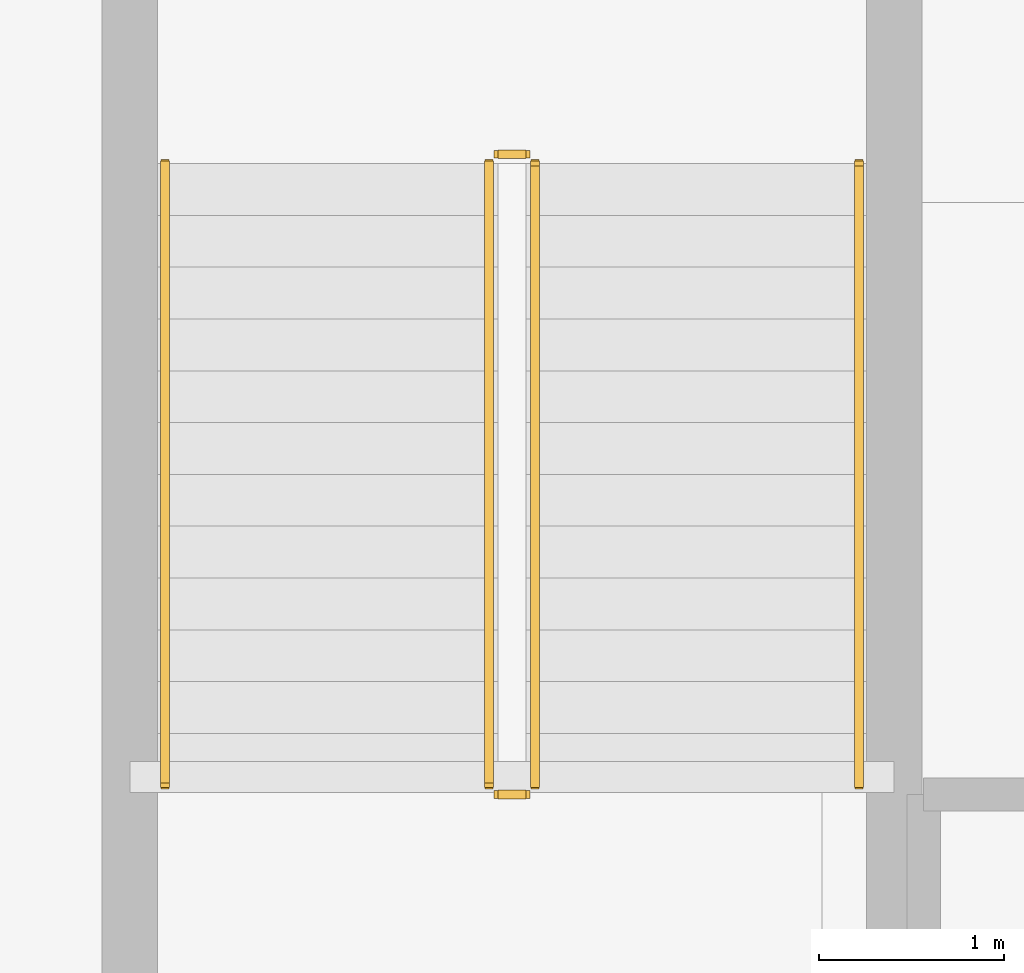
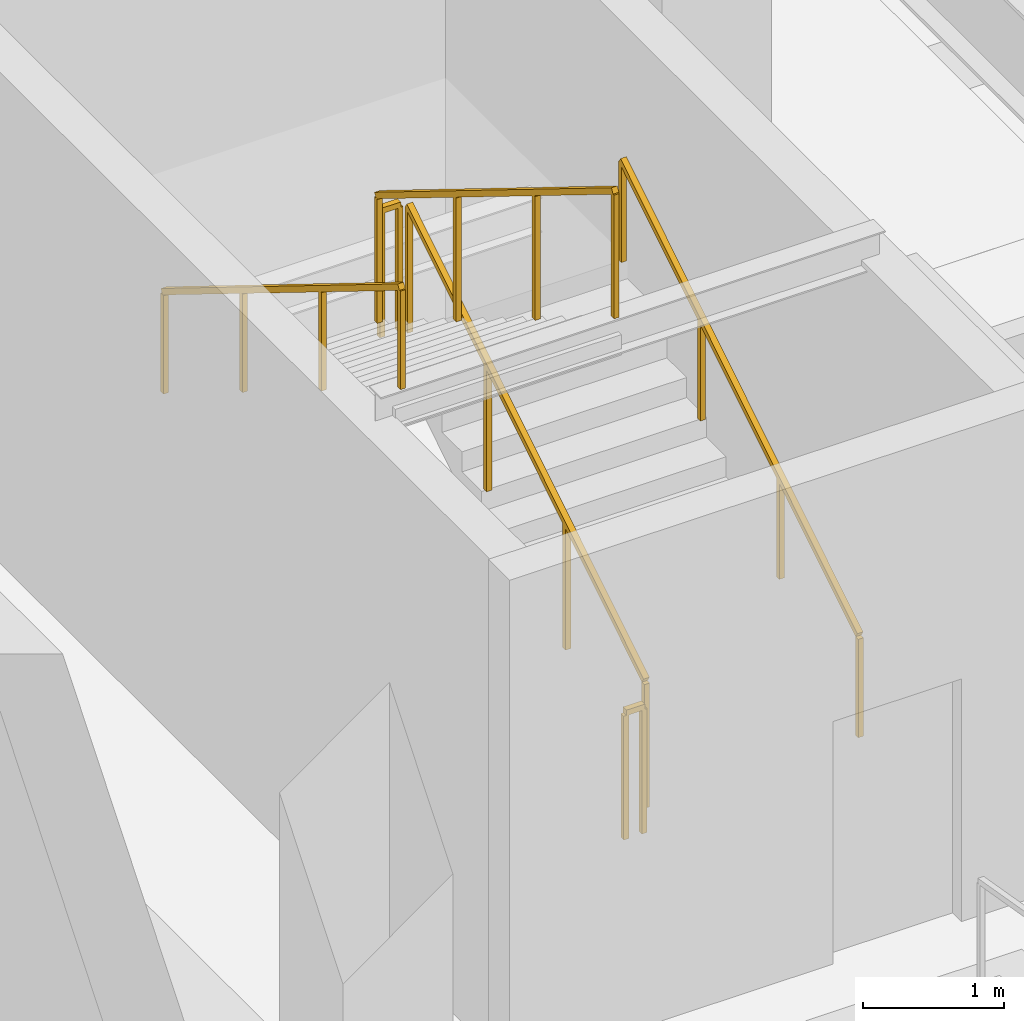
# One storey, part 10 of 12: 6 railings.
"""IFC4 building model written with IfcOpenShell, lengths in metres."""

from ifc_helpers import new_model, si_unit, direction, frame, origin, origin_2d, place, context, subcontext, project, spatial, rectangle, extrude, material, type_object, element, save


model = new_model("IFC4")

# Units and contexts
model_context = context("Model", 3, precision=1e-05, world=origin(), true_north=direction((0.0, 1.0)))
body_context = subcontext(model_context, "Body", "Model", "MODEL_VIEW")
ifc_project = project(units=[si_unit("LENGTHUNIT", "METRE"), si_unit("AREAUNIT", "SQUARE_METRE"), si_unit("VOLUMEUNIT", "CUBIC_METRE"), si_unit("PLANEANGLEUNIT", "RADIAN"), si_unit("MASSUNIT", "GRAM", prefix="KILO")], contexts=[model_context])

# Site, building, storey
site_placement = place(None, origin())
site = spatial("IfcSite", under=ifc_project, at=site_placement, CompositionType="ELEMENT")
building_placement = place(site_placement, origin())
building = spatial("IfcBuilding", under=site, at=building_placement, Name="Vantalir Tower", CompositionType="ELEMENT")
storey_placement = place(building_placement, frame((0.0, 0.0, -9.0)))
storey = spatial("IfcBuildingStorey", under=building, at=storey_placement, Name="B02", CompositionType="ELEMENT", Elevation=-9.0)

# Railings
ifc_material_1 = material(Name="Anodised aluminium and stainless steel guard", Category="steel")
railing_type_1 = type_object("IfcRailingType", Name="RAL-GUARD-1120", PredefinedType="GUARDRAIL", material=ifc_material_1)
railing_1_placement = place(storey_placement, frame((6.050048828125, 40.85009765625, 0.173095703125)))
element("IfcRailing", 1, at=railing_1_placement, inside=storey, type_object=railing_type_1, Name="B02 PST1 stair guard 1", PredefinedType="GUARDRAIL", context=body_context, shape_type="SweptSolid", body=[
    extrude(rectangle(XDim=0.048095703125, YDim=0.048095703125, at=origin_2d()), frame((0.0, 0.0, 1.09619140625), z_axis=(0.0, 0.850606129759, 0.525803396734), x_axis=(-1.0, 0.0, 0.0)), (0.0, 0.0, 1.0), 3.949951171875),
    extrude(rectangle(XDim=0.0419921875, YDim=0.0419921875, at=origin_2d()), origin(), (0.0, 0.0, 1.0), 1.072021484375),
    extrude(rectangle(XDim=0.0419921875, YDim=0.0419921875, at=origin_2d()), frame((0.0, 1.119873046875, 0.6923828125)), (0.0, 0.0, 1.0), 1.072021484375),
    extrude(rectangle(XDim=0.0419921875, YDim=0.0419921875, at=origin_2d()), frame((0.0, 2.239990234375, 1.384521484375)), (0.0, 0.0, 1.0), 1.072021484375),
    extrude(rectangle(XDim=0.0419921875, YDim=0.0419921875, at=origin_2d()), frame((0.0, 3.35986328125, 2.076904296875)), (0.0, 0.0, 1.0), 1.072021484375),
])
railing_2_placement = place(storey_placement, frame((6.0, 44.260009765625, 2.25)))
element("IfcRailing", 2, at=railing_2_placement, inside=storey, type_object=railing_type_1, Name="B02 PST1 stair guard 2", PredefinedType="GUARDRAIL", context=body_context, shape_type="SweptSolid", body=[
    extrude(rectangle(XDim=0.048095703125, YDim=0.048095703125, at=origin_2d()), frame((0.0, 0.0, 1.09619140625), z_axis=(-1.0, 0.0, 0.0), x_axis=(0.0, -1.0, 0.0)), (0.0, 0.0, 1.0), 0.14990234375),
    extrude(rectangle(XDim=0.0419921875, YDim=0.0419921875, at=origin_2d()), origin(), (0.0, 0.0, 1.0), 1.072021484375),
    extrude(rectangle(XDim=0.0419921875, YDim=0.0419921875, at=origin_2d()), frame((-0.14990234375, 0.0, 0.0)), (0.0, 0.0, 1.0), 1.072021484375),
])
railing_3_placement = place(storey_placement, frame((5.800048828125, 44.2099609375, 2.423095703125)))
element("IfcRailing", 3, at=railing_3_placement, inside=storey, type_object=railing_type_1, Name="B02 PST1 stair guard 3", PredefinedType="GUARDRAIL", context=body_context, shape_type="SweptSolid", body=[
    extrude(rectangle(XDim=0.048095703125, YDim=0.048095703125, at=origin_2d()), frame((0.0, 0.0, 1.09619140625), z_axis=(0.0, -0.850606129759, 0.525803396734), x_axis=(1.0, 0.0, 0.0)), (0.0, 0.0, 1.0), 3.949951171875),
    extrude(rectangle(XDim=0.0419921875, YDim=0.0419921875, at=origin_2d()), origin(), (0.0, 0.0, 1.0), 1.072021484375),
    extrude(rectangle(XDim=0.0419921875, YDim=0.0419921875, at=origin_2d()), frame((0.0, -1.119873046875, 0.6923828125)), (0.0, 0.0, 1.0), 1.072021484375),
    extrude(rectangle(XDim=0.0419921875, YDim=0.0419921875, at=origin_2d()), frame((0.0, -2.239990234375, 1.384521484375)), (0.0, 0.0, 1.0), 1.072021484375),
    extrude(rectangle(XDim=0.0419921875, YDim=0.0419921875, at=origin_2d()), frame((0.0, -3.35986328125, 2.076904296875)), (0.0, 0.0, 1.0), 1.072021484375),
])
railing_4_placement = place(storey_placement, frame((6.0, 40.800048828125, 0.0)))
element("IfcRailing", 4, at=railing_4_placement, inside=storey, type_object=railing_type_1, Name="B02 PST1 stair guard 4", PredefinedType="GUARDRAIL", context=body_context, shape_type="SweptSolid", body=[
    extrude(rectangle(XDim=0.048095703125, YDim=0.048095703125, at=origin_2d()), frame((0.0, 0.0, 1.09619140625), z_axis=(-1.0, 0.0, 0.0), x_axis=(0.0, -1.0, 0.0)), (0.0, 0.0, 1.0), 0.14990234375),
    extrude(rectangle(XDim=0.0419921875, YDim=0.0419921875, at=origin_2d()), origin(), (0.0, 0.0, 1.0), 1.072021484375),
    extrude(rectangle(XDim=0.0419921875, YDim=0.0419921875, at=origin_2d()), frame((-0.14990234375, 0.0, 0.0)), (0.0, 0.0, 1.0), 1.072021484375),
])
ifc_material_2 = material(Name="Brushed stainless steel tubular handrail", Category="steel")
railing_type_2 = type_object("IfcRailingType", Name="RAL-HANDRAIL-900", PredefinedType="HANDRAIL", material=ifc_material_2)
railing_5_placement = place(storey_placement, frame((7.800048828125, 40.85009765625, 0.173095703125)))
element("IfcRailing", 5, at=railing_5_placement, inside=storey, type_object=railing_type_2, Name="B02 PST1 stair handrail 1", PredefinedType="HANDRAIL", context=body_context, shape_type="SweptSolid", body=[
    extrude(rectangle(XDim=0.048095703125, YDim=0.048095703125, at=origin_2d()), frame((0.0, 0.0, 0.8759765625), z_axis=(0.0, 0.850606129759, 0.525803396734), x_axis=(-1.0, 0.0, 0.0)), (0.0, 0.0, 1.0), 3.949951171875),
    extrude(rectangle(XDim=0.0419921875, YDim=0.0419921875, at=origin_2d()), origin(), (0.0, 0.0, 1.0), 0.851806640625),
    extrude(rectangle(XDim=0.0419921875, YDim=0.0419921875, at=origin_2d()), frame((0.0, 1.119873046875, 0.6923828125)), (0.0, 0.0, 1.0), 0.851806640625),
    extrude(rectangle(XDim=0.0419921875, YDim=0.0419921875, at=origin_2d()), frame((0.0, 2.239990234375, 1.384521484375)), (0.0, 0.0, 1.0), 0.851806640625),
    extrude(rectangle(XDim=0.0419921875, YDim=0.0419921875, at=origin_2d()), frame((0.0, 3.35986328125, 2.076904296875)), (0.0, 0.0, 1.0), 0.851806640625),
])
railing_6_placement = place(storey_placement, frame((4.050048828125, 44.2099609375, 2.423095703125)))
element("IfcRailing", 6, at=railing_6_placement, inside=storey, type_object=railing_type_2, Name="B02 PST1 stair handrail 2", PredefinedType="HANDRAIL", context=body_context, shape_type="SweptSolid", body=[
    extrude(rectangle(XDim=0.048095703125, YDim=0.048095703125, at=origin_2d()), frame((0.0, 0.0, 0.8759765625), z_axis=(0.0, -0.850606129759, 0.525803396734), x_axis=(1.0, 0.0, 0.0)), (0.0, 0.0, 1.0), 3.949951171875),
    extrude(rectangle(XDim=0.0419921875, YDim=0.0419921875, at=origin_2d()), origin(), (0.0, 0.0, 1.0), 0.851806640625),
    extrude(rectangle(XDim=0.0419921875, YDim=0.0419921875, at=origin_2d()), frame((0.0, -1.119873046875, 0.6923828125)), (0.0, 0.0, 1.0), 0.851806640625),
    extrude(rectangle(XDim=0.0419921875, YDim=0.0419921875, at=origin_2d()), frame((0.0, -2.239990234375, 1.384521484375)), (0.0, 0.0, 1.0), 0.851806640625),
    extrude(rectangle(XDim=0.0419921875, YDim=0.0419921875, at=origin_2d()), frame((0.0, -3.35986328125, 2.076904296875)), (0.0, 0.0, 1.0), 0.851806640625),
])

save(model, "model.ifc")
